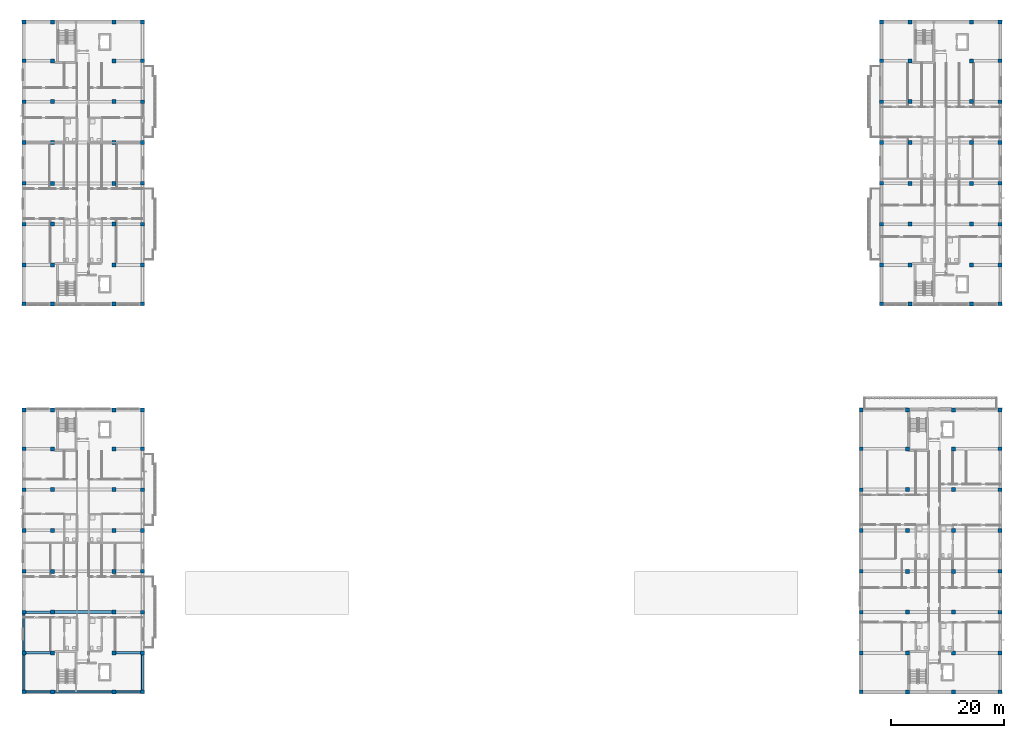
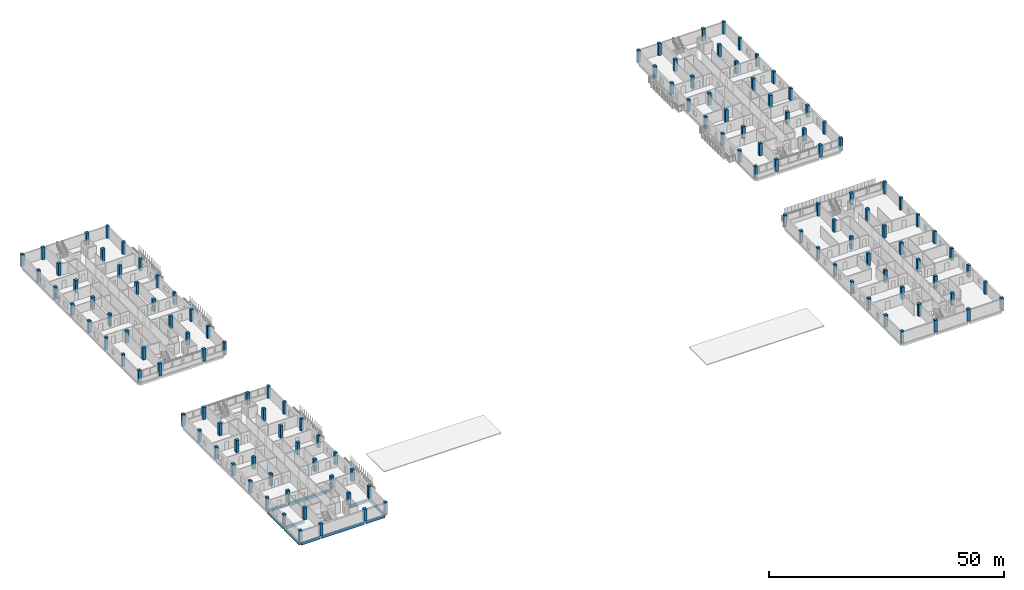
# One storey, part 1 of 51: 128 columns, 10 beams.
"""IFC4 building model written with IfcOpenShell, lengths in metres."""

from ifc_helpers import new_model, si_unit, derived_unit, direction, frame, origin, origin_2d, place, context, subcontext, project, spatial, rectangle, extrude, material, material_profile, profile_set, type_object, element, save


model = new_model("IFC4")

# Units and contexts
model_context = context("Model", 3, precision=1e-05, world=origin(), true_north=direction((0.0, 1.0)))
body_context = subcontext(model_context, "Body", "Model", "MODEL_VIEW")
ifc_project = project(units=[si_unit("LENGTHUNIT", "METRE"), si_unit("AREAUNIT", "SQUARE_METRE"), si_unit("VOLUMEUNIT", "CUBIC_METRE"), si_unit("PLANEANGLEUNIT", "RADIAN"), si_unit("MASSUNIT", "GRAM", prefix="KILO"), derived_unit("THERMALTRANSMITTANCEUNIT", [(si_unit("MASSUNIT", "GRAM", prefix="KILO"), 1), (si_unit("TIMEUNIT", "SECOND"), -3), (si_unit("THERMODYNAMICTEMPERATUREUNIT", "KELVIN"), -1)])], contexts=[model_context])

# Site, building, storey
site_placement = place(None, origin())
site = spatial("IfcSite", under=ifc_project, at=site_placement, CompositionType="ELEMENT")
building_placement = place(site_placement, origin())
building = spatial("IfcBuilding", under=site, at=building_placement, Name="Ochrekiln Boulevard Commons", CompositionType="ELEMENT")
storey_placement = place(building_placement, frame((0.0, 0.0, 15.22509765625)))
storey = spatial("IfcBuildingStorey", under=building, at=storey_placement, Name="L04", CompositionType="ELEMENT", Elevation=15.22509765625)

# Columns
ifc_material_1 = material(Name="Concrete C40/50", Category="concrete")
ifc_material_profile_1 = material_profile(ifc_material_1, rectangle(XDim=0.64990234375, YDim=0.64990234375, at=origin_2d()), Name="RC-COL-650x650")
ifc_profile_set_1 = profile_set([ifc_material_profile_1], Name="Concrete C40/50")
column_type_1 = type_object("IfcColumnType", Name="COL-RC-650", PredefinedType="COLUMN", material=ifc_profile_set_1)
for number, where, z_axis, x_axis, name in (
    (1, (0.35009765625, 68.75, 0.0), (0.0, 0.0, 1.0), (1.0, 0.0, 0.0), "Block A L04 Column C-650 (1)"),
    (2, (0.35009765625, 75.60009765625, 0.0), (0.0, 0.0, 1.0), (1.0, 0.0, 0.0), "Block A L04 Column C-650 (2)"),
    (3, (0.35009765625, 82.800048828125, 0.0), (0.0, 0.0, 1.0), (1.0, 0.0, 0.0), "Block A L04 Column C-650 (3)"),
    (4, (0.35009765625, 90.0, 0.0), (0.0, 0.0, 1.0), (1.0, 0.0, 0.0), "Block A L04 Column C-650 (4)"),
    (5, (0.35009765625, 97.199951171875, 0.0), (0.0, 0.0, 1.0), (1.0, 0.0, 0.0), "Block A L04 Column C-650 (5)"),
    (6, (0.35009765625, 104.39990234375, 0.0), (0.0, 0.0, 1.0), (1.0, 0.0, 0.0), "Block A L04 Column C-650 (6)"),
    (7, (0.35009765625, 111.60009765625, 0.0), (0.0, 0.0, 1.0), (1.0, 0.0, 0.0), "Block A L04 Column C-650 (7)"),
    (8, (0.35009765625, 118.449951171875, 0.0), (0.0, 0.0, 1.0), (1.0, 0.0, 0.0), "Block A L04 Column C-650 (8)"),
    (9, (21.25, 68.75, 0.0), (0.0, 0.0, 1.0), (1.0, 0.0, 0.0), "Block A L04 Column C-650 (25)"),
    (10, (21.25, 75.60009765625, 0.0), (0.0, 0.0, 1.0), (1.0, 0.0, 0.0), "Block A L04 Column C-650 (26)"),
    (11, (21.25, 82.800048828125, 0.0), (0.0, 0.0, 1.0), (1.0, 0.0, 0.0), "Block A L04 Column C-650 (27)"),
    (12, (21.25, 90.0, 0.0), (0.0, 0.0, 1.0), (1.0, 0.0, 0.0), "Block A L04 Column C-650 (28)"),
    (13, (21.25, 97.199951171875, 0.0), (0.0, 0.0, 1.0), (1.0, 0.0, 0.0), "Block A L04 Column C-650 (29)"),
    (14, (21.25, 104.39990234375, 0.0), (0.0, 0.0, 1.0), (1.0, 0.0, 0.0), "Block A L04 Column C-650 (30)"),
    (15, (21.25, 111.60009765625, 0.0), (0.0, 0.0, 1.0), (1.0, 0.0, 0.0), "Block A L04 Column C-650 (31)"),
    (16, (21.25, 118.449951171875, 0.0), (0.0, 0.0, 1.0), (1.0, 0.0, 0.0), "Block A L04 Column C-650 (32)"),
    (17, (151.550048828125, 68.75, 0.0), (0.0, 0.0, 1.0), (1.0, 0.0, 0.0), "Block B L04 Column C-650 (1)"),
    (18, (151.550048828125, 75.60009765625, 0.0), (0.0, 0.0, 1.0), (1.0, 0.0, 0.0), "Block B L04 Column C-650 (2)"),
    (19, (151.550048828125, 82.800048828125, 0.0), (0.0, 0.0, 1.0), (1.0, 0.0, 0.0), "Block B L04 Column C-650 (3)"),
    (20, (151.550048828125, 90.0, 0.0), (0.0, 0.0, 1.0), (1.0, 0.0, 0.0), "Block B L04 Column C-650 (4)"),
    (21, (151.550048828125, 97.199951171875, 0.0), (0.0, 0.0, 1.0), (1.0, 0.0, 0.0), "Block B L04 Column C-650 (5)"),
    (22, (151.550048828125, 104.39990234375, 0.0), (0.0, 0.0, 1.0), (1.0, 0.0, 0.0), "Block B L04 Column C-650 (6)"),
    (23, (151.550048828125, 111.60009765625, 0.0), (0.0, 0.0, 1.0), (1.0, 0.0, 0.0), "Block B L04 Column C-650 (7)"),
    (24, (151.550048828125, 118.449951171875, 0.0), (0.0, 0.0, 1.0), (1.0, 0.0, 0.0), "Block B L04 Column C-650 (8)"),
    (25, (172.449951171875, 68.75, 0.0), (0.0, 0.0, 1.0), (1.0, 0.0, 0.0), "Block B L04 Column C-650 (25)"),
    (26, (172.449951171875, 75.60009765625, 0.0), (0.0, 0.0, 1.0), (1.0, 0.0, 0.0), "Block B L04 Column C-650 (26)"),
    (27, (172.449951171875, 82.800048828125, 0.0), (0.0, 0.0, 1.0), (1.0, 0.0, 0.0), "Block B L04 Column C-650 (27)"),
    (28, (172.449951171875, 90.0, 0.0), (0.0, 0.0, 1.0), (1.0, 0.0, 0.0), "Block B L04 Column C-650 (28)"),
    (29, (172.449951171875, 97.199951171875, 0.0), (0.0, 0.0, 1.0), (1.0, 0.0, 0.0), "Block B L04 Column C-650 (29)"),
    (30, (172.449951171875, 104.39990234375, 0.0), (0.0, 0.0, 1.0), (1.0, 0.0, 0.0), "Block B L04 Column C-650 (30)"),
    (31, (172.449951171875, 111.60009765625, 0.0), (0.0, 0.0, 1.0), (1.0, 0.0, 0.0), "Block B L04 Column C-650 (31)"),
    (32, (172.449951171875, 118.449951171875, 0.0), (0.0, 0.0, 1.0), (1.0, 0.0, 0.0), "Block B L04 Column C-650 (32)"),
    (33, (147.949951171875, 0.35009765625, 0.0), (0.0, 0.0, 1.0), (1.0, 0.0, 0.0), "Block C L04 Column C-650 (1)"),
    (34, (147.949951171875, 7.199951171875, 0.0), (0.0, 0.0, 1.0), (1.0, 0.0, 0.0), "Block C L04 Column C-650 (2)"),
    (35, (147.949951171875, 14.39990234375, 0.0), (0.0, 0.0, 1.0), (1.0, 0.0, 0.0), "Block C L04 Column C-650 (3)"),
    (36, (147.949951171875, 21.60009765625, 0.0), (0.0, 0.0, 1.0), (1.0, 0.0, 0.0), "Block C L04 Column C-650 (4)"),
    (37, (147.949951171875, 28.800048828125, 0.0), (0.0, 0.0, 1.0), (1.0, 0.0, 0.0), "Block C L04 Column C-650 (5)"),
    (38, (147.949951171875, 36.0, 0.0), (0.0, 0.0, 1.0), (1.0, 0.0, 0.0), "Block C L04 Column C-650 (6)"),
    (39, (147.949951171875, 43.199951171875, 0.0), (0.0, 0.0, 1.0), (1.0, 0.0, 0.0), "Block C L04 Column C-650 (7)"),
    (40, (147.949951171875, 50.050048828125, 0.0), (0.0, 0.0, 1.0), (1.0, 0.0, 0.0), "Block C L04 Column C-650 (8)"),
    (41, (172.449951171875, 0.35009765625, 0.0), (0.0, 0.0, 1.0), (1.0, 0.0, 0.0), "Block C L04 Column C-650 (25)"),
    (42, (172.449951171875, 7.199951171875, 0.0), (0.0, 0.0, 1.0), (1.0, 0.0, 0.0), "Block C L04 Column C-650 (26)"),
    (43, (172.449951171875, 14.39990234375, 0.0), (0.0, 0.0, 1.0), (1.0, 0.0, 0.0), "Block C L04 Column C-650 (27)"),
    (44, (172.449951171875, 21.60009765625, 0.0), (0.0, 0.0, 1.0), (1.0, 0.0, 0.0), "Block C L04 Column C-650 (28)"),
    (45, (172.449951171875, 28.800048828125, 0.0), (0.0, 0.0, 1.0), (1.0, 0.0, 0.0), "Block C L04 Column C-650 (29)"),
    (46, (172.449951171875, 36.0, 0.0), (0.0, 0.0, 1.0), (1.0, 0.0, 0.0), "Block C L04 Column C-650 (30)"),
    (47, (172.449951171875, 43.199951171875, 0.0), (0.0, 0.0, 1.0), (1.0, 0.0, 0.0), "Block C L04 Column C-650 (31)"),
    (48, (172.449951171875, 50.050048828125, 0.0), (0.0, 0.0, 1.0), (1.0, 0.0, 0.0), "Block C L04 Column C-650 (32)"),
    (49, (0.35009765625, 0.35009765625, 0.0), (0.0, 0.0, 1.0), (1.0, 0.0, 0.0), "Block D L04 Column C-650 (1)"),
    (50, (0.35009765625, 7.199951171875, 0.0), (0.0, 0.0, 1.0), (1.0, 0.0, 0.0), "Block D L04 Column C-650 (2)"),
    (51, (0.35009765625, 14.39990234375, 0.0), (0.0, 0.0, 1.0), (1.0, 0.0, 0.0), "Block D L04 Column C-650 (3)"),
    (52, (0.35009765625, 21.60009765625, 0.0), (0.0, 0.0, 1.0), (1.0, 0.0, 0.0), "Block D L04 Column C-650 (4)"),
    (53, (0.35009765625, 28.800048828125, 0.0), (0.0, 0.0, 1.0), (1.0, 0.0, 0.0), "Block D L04 Column C-650 (5)"),
    (54, (0.35009765625, 36.0, 0.0), (0.0, 0.0, 1.0), (1.0, 0.0, 0.0), "Block D L04 Column C-650 (6)"),
    (55, (0.35009765625, 43.199951171875, 0.0), (0.0, 0.0, 1.0), (1.0, 0.0, 0.0), "Block D L04 Column C-650 (7)"),
    (56, (0.35009765625, 50.050048828125, 0.0), (0.0, 0.0, 1.0), (1.0, 0.0, 0.0), "Block D L04 Column C-650 (8)"),
    (57, (21.25, 0.35009765625, 0.0), (0.0, 0.0, 1.0), (1.0, 0.0, 0.0), "Block D L04 Column C-650 (25)"),
    (58, (21.25, 7.199951171875, 0.0), (0.0, 0.0, 1.0), (1.0, 0.0, 0.0), "Block D L04 Column C-650 (26)"),
    (59, (21.25, 14.39990234375, 0.0), (0.0, 0.0, 1.0), (1.0, 0.0, 0.0), "Block D L04 Column C-650 (27)"),
    (60, (21.25, 21.60009765625, 0.0), (0.0, 0.0, 1.0), (1.0, 0.0, 0.0), "Block D L04 Column C-650 (28)"),
    (61, (21.25, 28.800048828125, 0.0), (0.0, 0.0, 1.0), (1.0, 0.0, 0.0), "Block D L04 Column C-650 (29)"),
    (62, (21.25, 36.0, 0.0), (0.0, 0.0, 1.0), (1.0, 0.0, 0.0), "Block D L04 Column C-650 (30)"),
    (63, (21.25, 43.199951171875, 0.0), (0.0, 0.0, 1.0), (1.0, 0.0, 0.0), "Block D L04 Column C-650 (31)"),
    (64, (21.25, 50.050048828125, 0.0), (0.0, 0.0, 1.0), (1.0, 0.0, 0.0), "Block D L04 Column C-650 (32)"),
):
    element("IfcColumn", number, at=place(storey_placement, frame(where, z_axis=z_axis, x_axis=x_axis)), inside=storey, type_object=column_type_1, Name=name, PredefinedType="COLUMN", context=body_context, shape_type="SweptSolid", body=[
        extrude(rectangle(XDim=0.64990234375, YDim=0.64990234375, at=origin_2d()), origin(), (0.0, 0.0, 1.0), 3.14990234375),
    ])
ifc_material_profile_2 = material_profile(ifc_material_1, rectangle(XDim=0.699951171875, YDim=0.699951171875, at=origin_2d()), Name="RC-COL-700x700")
ifc_profile_set_2 = profile_set([ifc_material_profile_2], Name="Concrete C40/50")
column_type_2 = type_object("IfcColumnType", Name="COL-RC-700", PredefinedType="COLUMN", material=ifc_profile_set_2)
for number, where, z_axis, x_axis, name in (
    (65, (5.39990234375, 68.75, 0.0), (0.0, 0.0, 1.0), (1.0, 0.0, 0.0), "Block A L04 Column C-700 (9)"),
    (66, (5.39990234375, 75.60009765625, 0.0), (0.0, 0.0, 1.0), (1.0, 0.0, 0.0), "Block A L04 Column C-700 (10)"),
    (67, (5.39990234375, 82.800048828125, 0.0), (0.0, 0.0, 1.0), (1.0, 0.0, 0.0), "Block A L04 Column C-700 (11)"),
    (68, (5.39990234375, 90.0, 0.0), (0.0, 0.0, 1.0), (1.0, 0.0, 0.0), "Block A L04 Column C-700 (12)"),
    (69, (5.39990234375, 97.199951171875, 0.0), (0.0, 0.0, 1.0), (1.0, 0.0, 0.0), "Block A L04 Column C-700 (13)"),
    (70, (5.39990234375, 104.39990234375, 0.0), (0.0, 0.0, 1.0), (1.0, 0.0, 0.0), "Block A L04 Column C-700 (14)"),
    (71, (5.39990234375, 111.60009765625, 0.0), (0.0, 0.0, 1.0), (1.0, 0.0, 0.0), "Block A L04 Column C-700 (15)"),
    (72, (5.39990234375, 118.449951171875, 0.0), (0.0, 0.0, 1.0), (1.0, 0.0, 0.0), "Block A L04 Column C-700 (16)"),
    (73, (16.199951171875, 68.75, 0.0), (0.0, 0.0, 1.0), (1.0, 0.0, 0.0), "Block A L04 Column C-700 (17)"),
    (74, (16.199951171875, 75.60009765625, 0.0), (0.0, 0.0, 1.0), (1.0, 0.0, 0.0), "Block A L04 Column C-700 (18)"),
    (75, (16.199951171875, 82.800048828125, 0.0), (0.0, 0.0, 1.0), (1.0, 0.0, 0.0), "Block A L04 Column C-700 (19)"),
    (76, (16.199951171875, 90.0, 0.0), (0.0, 0.0, 1.0), (1.0, 0.0, 0.0), "Block A L04 Column C-700 (20)"),
    (77, (16.199951171875, 97.199951171875, 0.0), (0.0, 0.0, 1.0), (1.0, 0.0, 0.0), "Block A L04 Column C-700 (21)"),
    (78, (16.199951171875, 104.39990234375, 0.0), (0.0, 0.0, 1.0), (1.0, 0.0, 0.0), "Block A L04 Column C-700 (22)"),
    (79, (16.199951171875, 111.60009765625, 0.0), (0.0, 0.0, 1.0), (1.0, 0.0, 0.0), "Block A L04 Column C-700 (23)"),
    (80, (16.199951171875, 118.449951171875, 0.0), (0.0, 0.0, 1.0), (1.0, 0.0, 0.0), "Block A L04 Column C-700 (24)"),
    (81, (156.60009765625, 68.75, 0.0), (0.0, 0.0, 1.0), (1.0, 0.0, 0.0), "Block B L04 Column C-700 (9)"),
    (82, (156.60009765625, 75.60009765625, 0.0), (0.0, 0.0, 1.0), (1.0, 0.0, 0.0), "Block B L04 Column C-700 (10)"),
    (83, (156.60009765625, 82.800048828125, 0.0), (0.0, 0.0, 1.0), (1.0, 0.0, 0.0), "Block B L04 Column C-700 (11)"),
    (84, (156.60009765625, 90.0, 0.0), (0.0, 0.0, 1.0), (1.0, 0.0, 0.0), "Block B L04 Column C-700 (12)"),
    (85, (156.60009765625, 97.199951171875, 0.0), (0.0, 0.0, 1.0), (1.0, 0.0, 0.0), "Block B L04 Column C-700 (13)"),
    (86, (156.60009765625, 104.39990234375, 0.0), (0.0, 0.0, 1.0), (1.0, 0.0, 0.0), "Block B L04 Column C-700 (14)"),
    (87, (156.60009765625, 111.60009765625, 0.0), (0.0, 0.0, 1.0), (1.0, 0.0, 0.0), "Block B L04 Column C-700 (15)"),
    (88, (156.60009765625, 118.449951171875, 0.0), (0.0, 0.0, 1.0), (1.0, 0.0, 0.0), "Block B L04 Column C-700 (16)"),
    (89, (167.39990234375, 68.75, 0.0), (0.0, 0.0, 1.0), (1.0, 0.0, 0.0), "Block B L04 Column C-700 (17)"),
    (90, (167.39990234375, 75.60009765625, 0.0), (0.0, 0.0, 1.0), (1.0, 0.0, 0.0), "Block B L04 Column C-700 (18)"),
    (91, (167.39990234375, 82.800048828125, 0.0), (0.0, 0.0, 1.0), (1.0, 0.0, 0.0), "Block B L04 Column C-700 (19)"),
    (92, (167.39990234375, 90.0, 0.0), (0.0, 0.0, 1.0), (1.0, 0.0, 0.0), "Block B L04 Column C-700 (20)"),
    (93, (167.39990234375, 97.199951171875, 0.0), (0.0, 0.0, 1.0), (1.0, 0.0, 0.0), "Block B L04 Column C-700 (21)"),
    (94, (167.39990234375, 104.39990234375, 0.0), (0.0, 0.0, 1.0), (1.0, 0.0, 0.0), "Block B L04 Column C-700 (22)"),
    (95, (167.39990234375, 111.60009765625, 0.0), (0.0, 0.0, 1.0), (1.0, 0.0, 0.0), "Block B L04 Column C-700 (23)"),
    (96, (167.39990234375, 118.449951171875, 0.0), (0.0, 0.0, 1.0), (1.0, 0.0, 0.0), "Block B L04 Column C-700 (24)"),
    (97, (156.14990234375, 0.35009765625, 0.0), (0.0, 0.0, 1.0), (1.0, 0.0, 0.0), "Block C L04 Column C-700 (9)"),
    (98, (156.14990234375, 7.199951171875, 0.0), (0.0, 0.0, 1.0), (1.0, 0.0, 0.0), "Block C L04 Column C-700 (10)"),
    (99, (156.14990234375, 14.39990234375, 0.0), (0.0, 0.0, 1.0), (1.0, 0.0, 0.0), "Block C L04 Column C-700 (11)"),
    (100, (156.14990234375, 21.60009765625, 0.0), (0.0, 0.0, 1.0), (1.0, 0.0, 0.0), "Block C L04 Column C-700 (12)"),
    (101, (156.14990234375, 28.800048828125, 0.0), (0.0, 0.0, 1.0), (1.0, 0.0, 0.0), "Block C L04 Column C-700 (13)"),
    (102, (156.14990234375, 36.0, 0.0), (0.0, 0.0, 1.0), (1.0, 0.0, 0.0), "Block C L04 Column C-700 (14)"),
    (103, (156.14990234375, 43.199951171875, 0.0), (0.0, 0.0, 1.0), (1.0, 0.0, 0.0), "Block C L04 Column C-700 (15)"),
    (104, (156.14990234375, 50.050048828125, 0.0), (0.0, 0.0, 1.0), (1.0, 0.0, 0.0), "Block C L04 Column C-700 (16)"),
    (105, (164.25, 0.35009765625, 0.0), (0.0, 0.0, 1.0), (1.0, 0.0, 0.0), "Block C L04 Column C-700 (17)"),
    (106, (164.25, 7.199951171875, 0.0), (0.0, 0.0, 1.0), (1.0, 0.0, 0.0), "Block C L04 Column C-700 (18)"),
    (107, (164.25, 14.39990234375, 0.0), (0.0, 0.0, 1.0), (1.0, 0.0, 0.0), "Block C L04 Column C-700 (19)"),
    (108, (164.25, 21.60009765625, 0.0), (0.0, 0.0, 1.0), (1.0, 0.0, 0.0), "Block C L04 Column C-700 (20)"),
    (109, (164.25, 28.800048828125, 0.0), (0.0, 0.0, 1.0), (1.0, 0.0, 0.0), "Block C L04 Column C-700 (21)"),
    (110, (164.25, 36.0, 0.0), (0.0, 0.0, 1.0), (1.0, 0.0, 0.0), "Block C L04 Column C-700 (22)"),
    (111, (164.25, 43.199951171875, 0.0), (0.0, 0.0, 1.0), (1.0, 0.0, 0.0), "Block C L04 Column C-700 (23)"),
    (112, (164.25, 50.050048828125, 0.0), (0.0, 0.0, 1.0), (1.0, 0.0, 0.0), "Block C L04 Column C-700 (24)"),
    (113, (5.39990234375, 0.35009765625, 0.0), (0.0, 0.0, 1.0), (1.0, 0.0, 0.0), "Block D L04 Column C-700 (9)"),
    (114, (5.39990234375, 7.199951171875, 0.0), (0.0, 0.0, 1.0), (1.0, 0.0, 0.0), "Block D L04 Column C-700 (10)"),
    (115, (5.39990234375, 14.39990234375, 0.0), (0.0, 0.0, 1.0), (1.0, 0.0, 0.0), "Block D L04 Column C-700 (11)"),
    (116, (5.39990234375, 21.60009765625, 0.0), (0.0, 0.0, 1.0), (1.0, 0.0, 0.0), "Block D L04 Column C-700 (12)"),
    (117, (5.39990234375, 28.800048828125, 0.0), (0.0, 0.0, 1.0), (1.0, 0.0, 0.0), "Block D L04 Column C-700 (13)"),
    (118, (5.39990234375, 36.0, 0.0), (0.0, 0.0, 1.0), (1.0, 0.0, 0.0), "Block D L04 Column C-700 (14)"),
    (119, (5.39990234375, 43.199951171875, 0.0), (0.0, 0.0, 1.0), (1.0, 0.0, 0.0), "Block D L04 Column C-700 (15)"),
    (120, (5.39990234375, 50.050048828125, 0.0), (0.0, 0.0, 1.0), (1.0, 0.0, 0.0), "Block D L04 Column C-700 (16)"),
    (121, (16.199951171875, 0.35009765625, 0.0), (0.0, 0.0, 1.0), (1.0, 0.0, 0.0), "Block D L04 Column C-700 (17)"),
    (122, (16.199951171875, 7.199951171875, 0.0), (0.0, 0.0, 1.0), (1.0, 0.0, 0.0), "Block D L04 Column C-700 (18)"),
    (123, (16.199951171875, 14.39990234375, 0.0), (0.0, 0.0, 1.0), (1.0, 0.0, 0.0), "Block D L04 Column C-700 (19)"),
    (124, (16.199951171875, 21.60009765625, 0.0), (0.0, 0.0, 1.0), (1.0, 0.0, 0.0), "Block D L04 Column C-700 (20)"),
    (125, (16.199951171875, 28.800048828125, 0.0), (0.0, 0.0, 1.0), (1.0, 0.0, 0.0), "Block D L04 Column C-700 (21)"),
    (126, (16.199951171875, 36.0, 0.0), (0.0, 0.0, 1.0), (1.0, 0.0, 0.0), "Block D L04 Column C-700 (22)"),
    (127, (16.199951171875, 43.199951171875, 0.0), (0.0, 0.0, 1.0), (1.0, 0.0, 0.0), "Block D L04 Column C-700 (23)"),
    (128, (16.199951171875, 50.050048828125, 0.0), (0.0, 0.0, 1.0), (1.0, 0.0, 0.0), "Block D L04 Column C-700 (24)"),
):
    element("IfcColumn", number, at=place(storey_placement, frame(where, z_axis=z_axis, x_axis=x_axis)), inside=storey, type_object=column_type_2, Name=name, PredefinedType="COLUMN", context=body_context, shape_type="SweptSolid", body=[
        extrude(rectangle(XDim=0.699951171875, YDim=0.699951171875, at=origin_2d()), origin(), (0.0, 0.0, 1.0), 3.14990234375),
    ])

# Beams
ifc_material_2 = material(Name="Concrete C35/45", Category="concrete")
ifc_material_profile_3 = material_profile(ifc_material_2, rectangle(XDim=0.449951171875, YDim=0.64990234375, at=origin_2d()), Name="RC-BM-450x650")
ifc_profile_set_3 = profile_set([ifc_material_profile_3], Name="Concrete C35/45")
beam_type_1 = type_object("IfcBeamType", Name="BM-RC-450x650", PredefinedType="BEAM", material=ifc_profile_set_3)
beam_1_placement = place(storey_placement, frame((0.56005859375, 7.199951171875, -0.585205078125), z_axis=(1.0, 0.0, 0.0), x_axis=(0.0, 1.0, 0.0)))
element("IfcBeam", 129, at=beam_1_placement, inside=storey, type_object=beam_type_1, Name="Block D L04 Beam B-4565 X4", PredefinedType="BEAM", context=body_context, shape_type="SweptSolid", body=[
    extrude(rectangle(XDim=0.449951171875, YDim=0.64990234375, at=origin_2d()), origin(), (0.0, 0.0, 1.0), 4.6298828125),
])
beam_2_placement = place(storey_placement, frame((16.409912109375, 7.199951171875, -0.585205078125), z_axis=(1.0, 0.0, 0.0), x_axis=(0.0, 1.0, 0.0)))
element("IfcBeam", 130, at=beam_2_placement, inside=storey, type_object=beam_type_1, Name="Block D L04 Beam B-4565 X5", PredefinedType="BEAM", context=body_context, shape_type="SweptSolid", body=[
    extrude(rectangle(XDim=0.449951171875, YDim=0.64990234375, at=origin_2d()), origin(), (0.0, 0.0, 1.0), 4.630126953125),
])
beam_3_placement = place(storey_placement, frame((0.56005859375, 14.39990234375, -0.585205078125), z_axis=(1.0, 0.0, 0.0), x_axis=(0.0, 1.0, 0.0)))
element("IfcBeam", 131, at=beam_3_placement, inside=storey, type_object=beam_type_1, Name="Block D L04 Beam B-4565 X6", PredefinedType="BEAM", context=body_context, shape_type="SweptSolid", body=[
    extrude(rectangle(XDim=0.449951171875, YDim=0.64990234375, at=origin_2d()), origin(), (0.0, 0.0, 1.0), 4.6298828125),
])
ifc_material_profile_4 = material_profile(ifc_material_1, rectangle(XDim=0.5, YDim=0.699951171875, at=origin_2d()), Name="RC-BM-500x700")
ifc_profile_set_4 = profile_set([ifc_material_profile_4], Name="Concrete C40/50")
beam_type_2 = type_object("IfcBeamType", Name="BM-RC-500x700", PredefinedType="BEAM", material=ifc_profile_set_4)
beam_4_placement = place(storey_placement, frame((5.610107421875, 14.39990234375, -0.610107421875), z_axis=(1.0, 0.0, 0.0), x_axis=(0.0, 1.0, 0.0)))
element("IfcBeam", 132, at=beam_4_placement, inside=storey, type_object=beam_type_2, Name="Block D L04 Beam B-5070 X7", PredefinedType="BEAM", context=body_context, shape_type="SweptSolid", body=[
    extrude(rectangle(XDim=0.5, YDim=0.699951171875, at=origin_2d()), origin(), (0.0, 0.0, 1.0), 10.3798828125),
])
ifc_material_profile_5 = material_profile(ifc_material_1, rectangle(XDim=0.35009765625, YDim=0.64990234375, at=origin_2d()), Name="RC-SPN-350x650")
ifc_profile_set_5 = profile_set([ifc_material_profile_5], Name="Concrete C40/50")
beam_type_3 = type_object("IfcBeamType", Name="SPN-RC-350x650", PredefinedType="SPANDREL", material=ifc_profile_set_5)
beam_5_placement = place(storey_placement, frame((0.56005859375, 0.35009765625, -0.585205078125), z_axis=(1.0, 0.0, 0.0), x_axis=(0.0, 1.0, 0.0)))
element("IfcBeam", 133, at=beam_5_placement, inside=storey, type_object=beam_type_3, Name="Block D L04 Beam SP-3565 X1", PredefinedType="SPANDREL", context=body_context, shape_type="SweptSolid", body=[
    extrude(rectangle(XDim=0.35009765625, YDim=0.64990234375, at=origin_2d()), origin(), (0.0, 0.0, 1.0), 4.6298828125),
])
beam_6_placement = place(storey_placement, frame((5.610107421875, 0.35009765625, -0.585205078125), z_axis=(1.0, 0.0, 0.0), x_axis=(0.0, 1.0, 0.0)))
element("IfcBeam", 134, at=beam_6_placement, inside=storey, type_object=beam_type_3, Name="Block D L04 Beam SP-3565 X2", PredefinedType="SPANDREL", context=body_context, shape_type="SweptSolid", body=[
    extrude(rectangle(XDim=0.35009765625, YDim=0.64990234375, at=origin_2d()), origin(), (0.0, 0.0, 1.0), 10.3798828125),
])
beam_7_placement = place(storey_placement, frame((16.409912109375, 0.35009765625, -0.585205078125), z_axis=(1.0, 0.0, 0.0), x_axis=(0.0, 1.0, 0.0)))
element("IfcBeam", 135, at=beam_7_placement, inside=storey, type_object=beam_type_3, Name="Block D L04 Beam SP-3565 X3", PredefinedType="SPANDREL", context=body_context, shape_type="SweptSolid", body=[
    extrude(rectangle(XDim=0.35009765625, YDim=0.64990234375, at=origin_2d()), origin(), (0.0, 0.0, 1.0), 4.630126953125),
])
beam_8_placement = place(storey_placement, frame((0.35009765625, 0.56005859375, -0.585205078125), z_axis=(0.0, 1.0, 0.0), x_axis=(-1.0, 0.0, 0.0)))
element("IfcBeam", 136, at=beam_8_placement, inside=storey, type_object=beam_type_3, Name="Block D L04 Beam SP-3565 Y23", PredefinedType="SPANDREL", context=body_context, shape_type="SweptSolid", body=[
    extrude(rectangle(XDim=0.35009765625, YDim=0.64990234375, at=origin_2d()), origin(), (0.0, 0.0, 1.0), 6.429931640625),
])
beam_9_placement = place(storey_placement, frame((0.35009765625, 7.409912109375, -0.585205078125), z_axis=(0.0, 1.0, 0.0), x_axis=(-1.0, 0.0, 0.0)))
element("IfcBeam", 137, at=beam_9_placement, inside=storey, type_object=beam_type_3, Name="Block D L04 Beam SP-3565 Y24", PredefinedType="SPANDREL", context=body_context, shape_type="SweptSolid", body=[
    extrude(rectangle(XDim=0.35009765625, YDim=0.64990234375, at=origin_2d()), origin(), (0.0, 0.0, 1.0), 6.780029296875),
])
beam_10_placement = place(storey_placement, frame((21.25, 0.56005859375, -0.585205078125), z_axis=(0.0, 1.0, 0.0), x_axis=(-1.0, 0.0, 0.0)))
element("IfcBeam", 138, at=beam_10_placement, inside=storey, type_object=beam_type_3, Name="Block D L04 Beam SP-3565 Y30", PredefinedType="SPANDREL", context=body_context, shape_type="SweptSolid", body=[
    extrude(rectangle(XDim=0.35009765625, YDim=0.64990234375, at=origin_2d()), origin(), (0.0, 0.0, 1.0), 6.429931640625),
])

save(model, "model.ifc")
